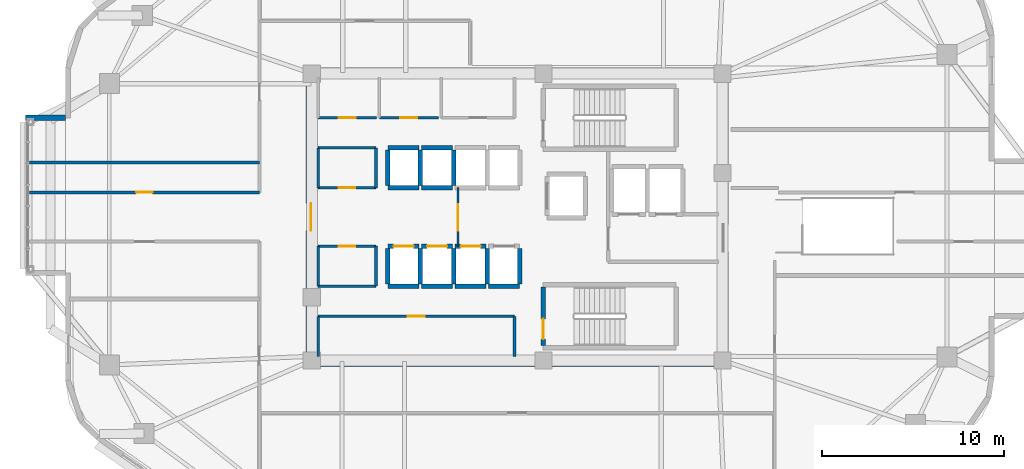
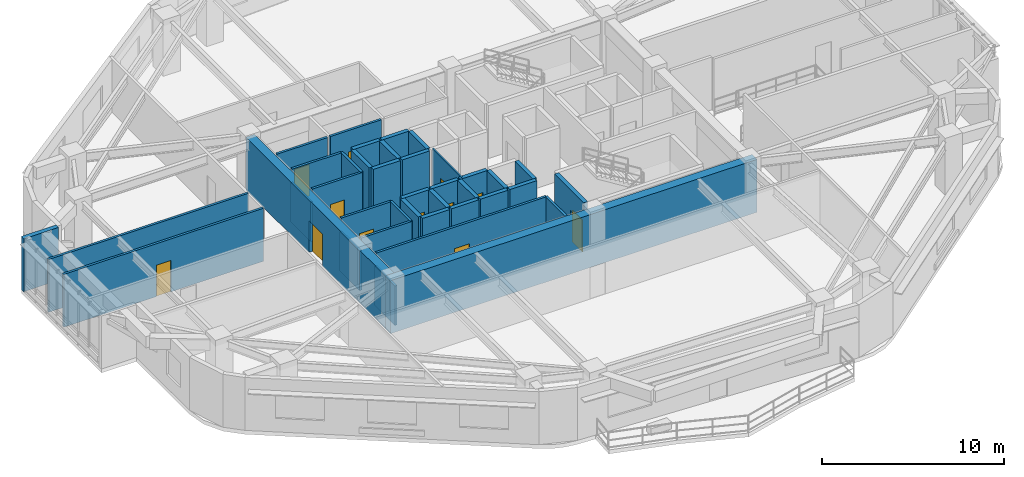
# One storey, part 8 of 14: 39 walls, 12 doors, 12 openings.
"""IFC4 building model written with IfcOpenShell, lengths in metres."""

from ifc_helpers import new_model, si_unit, direction, frame, frame_2d, origin, place, context, subcontext, project, spatial, rectangle, extrude, material, layer, layer_set, type_object, element, fill, save


model = new_model("IFC4")

# Units and contexts
model_context = context("Model", 3, precision=1e-05, world=origin(), true_north=direction((0.0, 1.0)))
body_context = subcontext(model_context, "Body", "Model", "MODEL_VIEW")
ifc_project = project(units=[si_unit("LENGTHUNIT", "METRE"), si_unit("AREAUNIT", "SQUARE_METRE"), si_unit("VOLUMEUNIT", "CUBIC_METRE"), si_unit("PLANEANGLEUNIT", "RADIAN"), si_unit("MASSUNIT", "GRAM", prefix="KILO")], contexts=[model_context])

# Site, building, storey
site_placement = place(None, origin())
site = spatial("IfcSite", under=ifc_project, at=site_placement, CompositionType="ELEMENT")
building_placement = place(site_placement, origin())
building = spatial("IfcBuilding", under=site, at=building_placement, Name="Zulverin Broadcast Headquarters", CompositionType="ELEMENT")
storey_placement = place(building_placement, frame((0.0, 0.0, 128.800048828125)))
storey = spatial("IfcBuildingStorey", under=building, at=storey_placement, Name="L32", CompositionType="ELEMENT", Elevation=128.800048828125)

# Wall
ifc_material_1 = material(Name="Concrete C60/75", Category="concrete")
ifc_layer_1 = layer(ifc_material_1, 0.550048828125, Name="Concrete C60/75", Category="concrete")
ifc_layer_set_1 = layer_set([ifc_layer_1], Name="Concrete C60/75")
wall_type_1 = type_object("IfcWallType", Name="WL-CORE-550", PredefinedType="SHEAR", material=ifc_layer_set_1)
wall_1_placement = place(storey_placement, frame((25.39990234375, 17.27490234375, 0.0), z_axis=(0.0, 0.0, 1.0), x_axis=(1.0, 0.0, 0.0)))
element("IfcWall", 1, at=wall_1_placement, inside=storey, type_object=wall_type_1, Name="L32 Core South Shear Wall", PredefinedType="SHEAR", context=body_context, shape_type="SweptSolid", body=[
    extrude(rectangle(XDim=23.2001953125, YDim=0.550048828125, at=frame_2d((11.60009765625, 0.0))), origin(), (0.0, 0.0, 1.0), 3.5400390625),
])

# Wall, opening, door
wall_2_placement = place(storey_placement, frame((25.675048828125, 17.550048828125, 0.0), z_axis=(0.0, 0.0, 1.0), x_axis=(0.0, 1.0, 0.0)))
wall_2 = element("IfcWall", 2, at=wall_2_placement, inside=storey, type_object=wall_type_1, Name="L32 Core West Shear Wall", PredefinedType="SHEAR", context=body_context, shape_type="SweptSolid", body=[
    extrude(rectangle(XDim=15.300048828125, YDim=0.550048828125, at=frame_2d((7.64990234375, 0.0))), origin(), (0.0, 0.0, 1.0), 3.5400390625),
])
opening_1_placement = place(wall_2_placement, frame((6.89990234375, 0.0, 0.0)))
opening_1 = element("IfcOpeningElement", 3, at=opening_1_placement, cuts=wall_2, Name="Opening D-L32-CW1", PredefinedType="OPENING", context=body_context, shape_type="SweptSolid", body=[
    extrude(rectangle(XDim=1.5, YDim=2.14990234375, at=frame_2d((0.75, 1.074951171875))), frame((0.0, 0.284912109375, 0.0), z_axis=(0.0, -1.0, 0.0), x_axis=(1.0, 0.0, 0.0)), (0.0, 0.0, 1.0), 0.570068359375),
])
ifc_material_2 = material(Name="Fire-rated glazed steel frame", Category="steel")
door_type_1 = type_object("IfcDoorType", Name="DR-COR-1500", OperationType="DOUBLE_DOOR_SINGLE_SWING", PredefinedType="DOOR", material=ifc_material_2)
door_1_placement = place(opening_1_placement, origin())
door_1 = element("IfcDoor", 4, at=door_1_placement, inside=storey, type_object=door_type_1, Name="L32 Central Lift Lobby West Portal Door", OperationType="DOUBLE_DOOR_SINGLE_SWING", OverallHeight=2.14990234375, OverallWidth=1.5, PredefinedType="DOOR", context=body_context, shape_type="SweptSolid", body=[
    extrude(rectangle(XDim=1.5, YDim=2.14990234375, at=frame_2d((0.75, 1.074951171875))), frame((0.0, 0.02490234375, 0.0), z_axis=(0.0, -1.0, 0.0), x_axis=(1.0, 0.0, 0.0)), (0.0, 0.0, 1.0), 0.050048828125),
])
fill(opening_1, door_1)

# Wall
ifc_material_3 = material(Name="Insulated pale-metal clad concrete spandrel C40/50", Category="concrete")
ifc_layer_2 = layer(ifc_material_3, 0.280029296875, Name="Insulated pale-metal clad concrete spandrel C40/50", Category="concrete")
ifc_layer_set_2 = layer_set([ifc_layer_2], Name="Insulated pale-metal clad concrete spandrel C40/50")
wall_type_2 = type_object("IfcWallType", Name="WL-EXT-280", PredefinedType="STANDARD", material=ifc_layer_set_2)
wall_3_placement = place(storey_placement, frame((10.0, 30.64990234375, 0.0), z_axis=(0.0, 0.0, 1.0), x_axis=(1.0, 0.0, 0.0)))
element("IfcWall", 5, at=wall_3_placement, inside=storey, type_object=wall_type_2, Name="L32 Shifted Studio Box Cheek Wall SBOX_SKY1_W-N", PredefinedType="STANDARD", context=body_context, shape_type="SweptSolid", body=[
    extrude(rectangle(XDim=2.199951171875, YDim=0.280029296875, at=frame_2d((1.10009765625, 0.0))), origin(), (0.0, 0.0, 1.0), 3.5400390625),
])

# Wall, opening, door
ifc_material_4 = material(Name="Fire-rated acoustic laminated glass screen", Category="glass")
ifc_layer_3 = layer(ifc_material_4, 0.10009765625, Name="Fire-rated acoustic laminated glass screen", Category="glass")
ifc_layer_set_3 = layer_set([ifc_layer_3], Name="Fire-rated acoustic laminated glass screen")
wall_type_3 = type_object("IfcWallType", Name="WL-GLAZ-100", PredefinedType="PARTITIONING", material=ifc_layer_set_3)
wall_4_placement = place(storey_placement, frame((33.75, 23.60009765625, 0.0), z_axis=(0.0, 0.0, 1.0), x_axis=(0.0, 1.0, 0.0)))
wall_4 = element("IfcWall", 6, at=wall_4_placement, inside=storey, type_object=wall_type_3, Name="L32 Core Lobby Acoustic Screen", PredefinedType="PARTITIONING", context=body_context, shape_type="SweptSolid", body=[
    extrude(rectangle(XDim=3.199951171875, YDim=0.10009765625, at=frame_2d((1.60009765625, 0.0))), origin(), (0.0, 0.0, 1.0), 3.5400390625),
])
opening_2_placement = place(wall_4_placement, frame((0.85009765625, 0.0, 0.0)))
opening_2 = element("IfcOpeningElement", 7, at=opening_2_placement, cuts=wall_4, Name="Opening D-L32-CL1", PredefinedType="OPENING", context=body_context, shape_type="SweptSolid", body=[
    extrude(rectangle(XDim=1.449951171875, YDim=2.1201171875, at=frame_2d((0.72509765625, 1.06005859375))), frame((0.0, 0.06005859375, 0.0), z_axis=(0.0, -1.0, 0.0), x_axis=(1.0, 0.0, 0.0)), (0.0, 0.0, 1.0), 0.1201171875),
])
ifc_material_5 = material(Name="Fire-rated acoustic glazed double leaf", Category="glass")
door_type_2 = type_object("IfcDoorType", Name="DR-GLZ-1450", OperationType="DOUBLE_DOOR_SINGLE_SWING", PredefinedType="DOOR", material=ifc_material_5)
door_2_placement = place(opening_2_placement, origin())
door_2 = element("IfcDoor", 8, at=door_2_placement, inside=storey, type_object=door_type_2, Name="L32 Core Lobby Vestibule Door", OperationType="DOUBLE_DOOR_SINGLE_SWING", OverallHeight=2.1201171875, OverallWidth=1.449951171875, PredefinedType="DOOR", context=body_context, shape_type="SweptSolid", body=[
    extrude(rectangle(XDim=1.449951171875, YDim=2.1201171875, at=frame_2d((0.72509765625, 1.06005859375))), frame((0.0, 0.02490234375, 0.0), z_axis=(0.0, -1.0, 0.0), x_axis=(1.0, 0.0, 0.0)), (0.0, 0.0, 1.0), 0.050048828125),
])
fill(opening_2, door_2)

ifc_material_6 = material(Name="Fire-rated gypsum stud partition", Category="gypsum")
ifc_layer_4 = layer(ifc_material_6, 0.14990234375, Name="Fire-rated gypsum stud partition", Category="gypsum")
ifc_layer_set_4 = layer_set([ifc_layer_4], Name="Fire-rated gypsum stud partition")
wall_type_4 = type_object("IfcWallType", Name="WL-PART-150", PredefinedType="PARTITIONING", material=ifc_layer_set_4)
wall_5_placement = place(storey_placement, frame((26.070068359375, 30.64990234375, 0.0), z_axis=(0.0, 0.0, 1.0), x_axis=(1.0, 0.0, 0.0)))
wall_5 = element("IfcWall", 9, at=wall_5_placement, inside=storey, type_object=wall_type_4, Name="L32 Core Accessible WC Front Wall", PredefinedType="PARTITIONING", context=body_context, shape_type="SweptSolid", body=[
    extrude(rectangle(XDim=3.199951171875, YDim=0.14990234375, at=frame_2d((1.60009765625, 0.0))), origin(), (0.0, 0.0, 1.0), 3.5400390625),
])
opening_3_placement = place(wall_5_placement, frame((1.125, 0.0, 0.0)))
opening_3 = element("IfcOpeningElement", 10, at=opening_3_placement, cuts=wall_5, Name="Opening D-L32-NC1", PredefinedType="OPENING", context=body_context, shape_type="SweptSolid", body=[
    extrude(rectangle(XDim=0.949951171875, YDim=2.10009765625, at=frame_2d((0.47509765625, 1.050048828125))), frame((0.0, 0.0849609375, 0.0), z_axis=(0.0, -1.0, 0.0), x_axis=(1.0, 0.0, 0.0)), (0.0, 0.0, 1.0), 0.169921875),
])
ifc_material_7 = material(Name="Fire-rated moisture-resistant laminate leaf", Category="wood")
door_type_3 = type_object("IfcDoorType", Name="DR-WC-950", OperationType="SINGLE_SWING_LEFT", PredefinedType="DOOR", material=ifc_material_7)
door_3_placement = place(opening_3_placement, origin())
door_3 = element("IfcDoor", 11, at=door_3_placement, inside=storey, type_object=door_type_3, Name="L32 Accessible WC Door", OperationType="SINGLE_SWING_LEFT", OverallHeight=2.10009765625, OverallWidth=0.949951171875, PredefinedType="DOOR", context=body_context, shape_type="SweptSolid", body=[
    extrude(rectangle(XDim=0.949951171875, YDim=2.10009765625, at=frame_2d((0.47509765625, 1.050048828125))), frame((0.0, 0.02490234375, 0.0), z_axis=(0.0, -1.0, 0.0), x_axis=(1.0, 0.0, 0.0)), (0.0, 0.0, 1.0), 0.050048828125),
])
fill(opening_3, door_3)

wall_6_placement = place(storey_placement, frame((29.429931640625, 30.64990234375, 0.0), z_axis=(0.0, 0.0, 1.0), x_axis=(1.0, 0.0, 0.0)))
wall_6 = element("IfcWall", 12, at=wall_6_placement, inside=storey, type_object=wall_type_4, Name="L32 Core Male WC Front Wall", PredefinedType="PARTITIONING", context=body_context, shape_type="SweptSolid", body=[
    extrude(rectangle(XDim=3.239990234375, YDim=0.14990234375, at=frame_2d((1.6201171875, 0.0))), origin(), (0.0, 0.0, 1.0), 3.5400390625),
])
opening_4_placement = place(wall_6_placement, frame((1.14501953125, 0.0, 0.0)))
opening_4 = element("IfcOpeningElement", 13, at=opening_4_placement, cuts=wall_6, Name="Opening D-L32-NC2", PredefinedType="OPENING", context=body_context, shape_type="SweptSolid", body=[
    extrude(rectangle(XDim=0.949951171875, YDim=2.10009765625, at=frame_2d((0.47509765625, 1.050048828125))), frame((0.0, 0.0849609375, 0.0), z_axis=(0.0, -1.0, 0.0), x_axis=(1.0, 0.0, 0.0)), (0.0, 0.0, 1.0), 0.169921875),
])
door_4_placement = place(opening_4_placement, origin())
door_4 = element("IfcDoor", 14, at=door_4_placement, inside=storey, type_object=door_type_3, Name="L32 Male WC Door", OperationType="SINGLE_SWING_RIGHT", OverallHeight=2.10009765625, OverallWidth=0.949951171875, PredefinedType="DOOR", context=body_context, shape_type="SweptSolid", body=[
    extrude(rectangle(XDim=0.949951171875, YDim=2.10009765625, at=frame_2d((0.47509765625, 1.050048828125))), frame((0.0, 0.02490234375, 0.0), z_axis=(0.0, -1.0, 0.0), x_axis=(1.0, 0.0, 0.0)), (0.0, 0.0, 1.0), 0.050048828125),
])
fill(opening_4, door_4)

wall_7_placement = place(storey_placement, frame((26.070068359375, 19.75, 0.0), z_axis=(0.0, 0.0, 1.0), x_axis=(1.0, 0.0, 0.0)))
wall_7 = element("IfcWall", 15, at=wall_7_placement, inside=storey, type_object=wall_type_4, Name="L32 Core Female WC & Facilities Room Front Wall", PredefinedType="PARTITIONING", context=body_context, shape_type="SweptSolid", body=[
    extrude(rectangle(XDim=10.780029296875, YDim=0.14990234375, at=frame_2d((5.39013671875, 0.0))), origin(), (0.0, 0.0, 1.0), 3.5400390625),
])
opening_5_placement = place(wall_7_placement, frame((4.9150390625, 0.0, 0.0)))
opening_5 = element("IfcOpeningElement", 16, at=opening_5_placement, cuts=wall_7, Name="Opening D-L32-SC1", PredefinedType="OPENING", context=body_context, shape_type="SweptSolid", body=[
    extrude(rectangle(XDim=0.949951171875, YDim=2.10009765625, at=frame_2d((0.47509765625, 1.050048828125))), frame((0.0, 0.0849609375, 0.0), z_axis=(0.0, -1.0, 0.0), x_axis=(1.0, 0.0, 0.0)), (0.0, 0.0, 1.0), 0.169921875),
])
door_5_placement = place(opening_5_placement, origin())
door_5 = element("IfcDoor", 17, at=door_5_placement, inside=storey, type_object=door_type_3, Name="L32 Female WC & Facilities Room Door", OperationType="SINGLE_SWING_RIGHT", OverallHeight=2.10009765625, OverallWidth=0.949951171875, PredefinedType="DOOR", context=body_context, shape_type="SweptSolid", body=[
    extrude(rectangle(XDim=0.949951171875, YDim=2.10009765625, at=frame_2d((0.47509765625, 1.050048828125))), frame((0.0, 0.02490234375, 0.0), z_axis=(0.0, -1.0, 0.0), x_axis=(1.0, 0.0, 0.0)), (0.0, 0.0, 1.0), 0.050048828125),
])
fill(opening_5, door_5)

# Walls
wall_8_placement = place(storey_placement, frame((26.070068359375, 17.550048828125, 0.0), z_axis=(0.0, 0.0, 1.0), x_axis=(0.0, 1.0, 0.0)))
element("IfcWall", 18, at=wall_8_placement, inside=storey, type_object=wall_type_4, Name="L32 Core Female WC & Facilities Room West Wall", PredefinedType="PARTITIONING", context=body_context, shape_type="SweptSolid", body=[
    extrude(rectangle(XDim=2.199951171875, YDim=0.14990234375, at=frame_2d((1.10009765625, 0.0))), origin(), (0.0, 0.0, 1.0), 2.639892578125),
])
wall_9_placement = place(storey_placement, frame((36.85009765625, 17.550048828125, 0.0), z_axis=(0.0, 0.0, 1.0), x_axis=(0.0, 1.0, 0.0)))
element("IfcWall", 19, at=wall_9_placement, inside=storey, type_object=wall_type_4, Name="L32 Core Female WC & Facilities Room East Wall", PredefinedType="PARTITIONING", context=body_context, shape_type="SweptSolid", body=[
    extrude(rectangle(XDim=2.199951171875, YDim=0.14990234375, at=frame_2d((1.10009765625, 0.0))), origin(), (0.0, 0.0, 1.0), 3.5400390625),
])

# Wall, opening, door
wall_10_placement = place(storey_placement, frame((26.070068359375, 26.800048828125, 0.0), z_axis=(0.0, 0.0, 1.0), x_axis=(1.0, 0.0, 0.0)))
wall_10 = element("IfcWall", 20, at=wall_10_placement, inside=storey, type_object=wall_type_4, Name="L32 Core UPS Battery Store S Wall", PredefinedType="PARTITIONING", context=body_context, shape_type="SweptSolid", body=[
    extrude(rectangle(XDim=3.179931640625, YDim=0.14990234375, at=frame_2d((1.58984375, 0.0))), origin(), (0.0, 0.0, 1.0), 3.5400390625),
])
opening_6_placement = place(wall_10_placement, frame((1.139892578125, 0.0, 0.0)))
opening_6 = element("IfcOpeningElement", 21, at=opening_6_placement, cuts=wall_10, Name="Opening D-L32-RCLN", PredefinedType="OPENING", context=body_context, shape_type="SweptSolid", body=[
    extrude(rectangle(XDim=0.89990234375, YDim=2.10009765625, at=frame_2d((0.449951171875, 1.050048828125))), frame((0.0, 0.0849609375, 0.0), z_axis=(0.0, -1.0, 0.0), x_axis=(1.0, 0.0, 0.0)), (0.0, 0.0, 1.0), 0.169921875),
])
ifc_material_8 = material(Name="Powder-coated steel access leaf", Category="steel")
door_type_4 = type_object("IfcDoorType", Name="DR-RISER-900", OperationType="SINGLE_SWING_LEFT", PredefinedType="DOOR", material=ifc_material_8)
door_6_placement = place(opening_6_placement, origin())
door_6 = element("IfcDoor", 22, at=door_6_placement, inside=storey, type_object=door_type_4, Name="L32 Core UPS Battery Store Door", OperationType="SINGLE_SWING_LEFT", OverallHeight=2.10009765625, OverallWidth=0.89990234375, PredefinedType="DOOR", context=body_context, shape_type="SweptSolid", body=[
    extrude(rectangle(XDim=0.89990234375, YDim=2.10009765625, at=frame_2d((0.449951171875, 1.050048828125))), frame((0.0, 0.02490234375, 0.0), z_axis=(0.0, -1.0, 0.0), x_axis=(1.0, 0.0, 0.0)), (0.0, 0.0, 1.0), 0.050048828125),
])
fill(opening_6, door_6)

# Walls
wall_11_placement = place(storey_placement, frame((26.070068359375, 29.0, 0.0), z_axis=(0.0, 0.0, 1.0), x_axis=(1.0, 0.0, 0.0)))
element("IfcWall", 23, at=wall_11_placement, inside=storey, type_object=wall_type_4, Name="L32 Core UPS Battery Store N Wall", PredefinedType="PARTITIONING", context=body_context, shape_type="SweptSolid", body=[
    extrude(rectangle(XDim=3.179931640625, YDim=0.14990234375, at=frame_2d((1.58984375, 0.0))), origin(), (0.0, 0.0, 1.0), 3.5400390625),
])
wall_12_placement = place(storey_placement, frame((26.070068359375, 26.800048828125, 0.0), z_axis=(0.0, 0.0, 1.0), x_axis=(0.0, 1.0, 0.0)))
element("IfcWall", 24, at=wall_12_placement, inside=storey, type_object=wall_type_4, Name="L32 Core UPS Battery Store W Wall", PredefinedType="PARTITIONING", context=body_context, shape_type="SweptSolid", body=[
    extrude(rectangle(XDim=2.199951171875, YDim=0.14990234375, at=frame_2d((1.10009765625, 0.0))), origin(), (0.0, 0.0, 1.0), 2.639892578125),
])
wall_13_placement = place(storey_placement, frame((29.25, 26.800048828125, 0.0), z_axis=(0.0, 0.0, 1.0), x_axis=(0.0, 1.0, 0.0)))
element("IfcWall", 25, at=wall_13_placement, inside=storey, type_object=wall_type_4, Name="L32 Core UPS Battery Store E Wall", PredefinedType="PARTITIONING", context=body_context, shape_type="SweptSolid", body=[
    extrude(rectangle(XDim=2.199951171875, YDim=0.14990234375, at=frame_2d((1.10009765625, 0.0))), origin(), (0.0, 0.0, 1.0), 3.5400390625),
])
wall_14_placement = place(storey_placement, frame((26.070068359375, 21.39990234375, 0.0), z_axis=(0.0, 0.0, 1.0), x_axis=(1.0, 0.0, 0.0)))
element("IfcWall", 26, at=wall_14_placement, inside=storey, type_object=wall_type_4, Name="L32 Media Ingestion Server Room S Wall", PredefinedType="PARTITIONING", context=body_context, shape_type="SweptSolid", body=[
    extrude(rectangle(XDim=3.179931640625, YDim=0.14990234375, at=frame_2d((1.58984375, 0.0))), origin(), (0.0, 0.0, 1.0), 3.5400390625),
])

# Wall, opening, door
wall_15_placement = place(storey_placement, frame((26.070068359375, 23.60009765625, 0.0), z_axis=(0.0, 0.0, 1.0), x_axis=(1.0, 0.0, 0.0)))
wall_15 = element("IfcWall", 27, at=wall_15_placement, inside=storey, type_object=wall_type_4, Name="L32 Media Ingestion Server Room N Wall", PredefinedType="PARTITIONING", context=body_context, shape_type="SweptSolid", body=[
    extrude(rectangle(XDim=3.179931640625, YDim=0.14990234375, at=frame_2d((1.58984375, 0.0))), origin(), (0.0, 0.0, 1.0), 3.5400390625),
])
opening_7_placement = place(wall_15_placement, frame((1.139892578125, 0.0, 0.0)))
opening_7 = element("IfcOpeningElement", 28, at=opening_7_placement, cuts=wall_15, Name="Opening D-L32-RCLS", PredefinedType="OPENING", context=body_context, shape_type="SweptSolid", body=[
    extrude(rectangle(XDim=0.89990234375, YDim=2.10009765625, at=frame_2d((0.449951171875, 1.050048828125))), frame((0.0, 0.0849609375, 0.0), z_axis=(0.0, -1.0, 0.0), x_axis=(1.0, 0.0, 0.0)), (0.0, 0.0, 1.0), 0.169921875),
])
door_7_placement = place(opening_7_placement, origin())
door_7 = element("IfcDoor", 29, at=door_7_placement, inside=storey, type_object=door_type_4, Name="L32 Media Ingestion Server Room Door", OperationType="SINGLE_SWING_RIGHT", OverallHeight=2.10009765625, OverallWidth=0.89990234375, PredefinedType="DOOR", context=body_context, shape_type="SweptSolid", body=[
    extrude(rectangle(XDim=0.89990234375, YDim=2.10009765625, at=frame_2d((0.449951171875, 1.050048828125))), frame((0.0, 0.02490234375, 0.0), z_axis=(0.0, -1.0, 0.0), x_axis=(1.0, 0.0, 0.0)), (0.0, 0.0, 1.0), 0.050048828125),
])
fill(opening_7, door_7)

# Walls
wall_16_placement = place(storey_placement, frame((26.070068359375, 21.39990234375, 0.0), z_axis=(0.0, 0.0, 1.0), x_axis=(0.0, 1.0, 0.0)))
element("IfcWall", 30, at=wall_16_placement, inside=storey, type_object=wall_type_4, Name="L32 Media Ingestion Server Room W Wall", PredefinedType="PARTITIONING", context=body_context, shape_type="SweptSolid", body=[
    extrude(rectangle(XDim=2.2001953125, YDim=0.14990234375, at=frame_2d((1.10009765625, 0.0))), origin(), (0.0, 0.0, 1.0), 2.639892578125),
])
wall_17_placement = place(storey_placement, frame((29.25, 21.39990234375, 0.0), z_axis=(0.0, 0.0, 1.0), x_axis=(0.0, 1.0, 0.0)))
element("IfcWall", 31, at=wall_17_placement, inside=storey, type_object=wall_type_4, Name="L32 Media Ingestion Server Room E Wall", PredefinedType="PARTITIONING", context=body_context, shape_type="SweptSolid", body=[
    extrude(rectangle(XDim=2.2001953125, YDim=0.14990234375, at=frame_2d((1.10009765625, 0.0))), origin(), (0.0, 0.0, 1.0), 3.5400390625),
])

# Wall, opening, door
wall_18_placement = place(storey_placement, frame((10.205078125, 26.550048828125, 0.0), z_axis=(0.0, 0.0, 1.0), x_axis=(1.0, 0.0, 0.0)))
wall_18 = element("IfcWall", 32, at=wall_18_placement, inside=storey, type_object=wall_type_4, Name="L32 Gallery Partition Wall CG-10", PredefinedType="PARTITIONING", context=body_context, shape_type="SweptSolid", body=[
    extrude(rectangle(XDim=12.64501953125, YDim=0.14990234375, at=frame_2d((6.322509765625, 0.0))), origin(), (0.0, 0.0, 1.0), 3.5400390625),
])
opening_8_placement = place(wall_18_placement, frame((5.87255859375, 0.0, 0.0)))
opening_8 = element("IfcOpeningElement", 33, at=opening_8_placement, cuts=wall_18, Name="Opening D-L32-05", PredefinedType="OPENING", context=body_context, shape_type="SweptSolid", body=[
    extrude(rectangle(XDim=0.89990234375, YDim=2.10009765625, at=frame_2d((0.449951171875, 1.050048828125))), frame((0.0, 0.0849609375, 0.0), z_axis=(0.0, -1.0, 0.0), x_axis=(1.0, 0.0, 0.0)), (0.0, 0.0, 1.0), 0.169921875),
])
ifc_material_9 = material(Name="Fire-rated hardwood veneer timber leaf", Category="wood")
door_type_5 = type_object("IfcDoorType", Name="DR-ROOM-900", OperationType="SINGLE_SWING_RIGHT", PredefinedType="DOOR", material=ifc_material_9)
door_8_placement = place(opening_8_placement, origin())
door_8 = element("IfcDoor", 34, at=door_8_placement, inside=storey, type_object=door_type_5, Name="L32 Editorial Meeting Room Door", OperationType="SINGLE_SWING_RIGHT", OverallHeight=2.10009765625, OverallWidth=0.89990234375, PredefinedType="DOOR", context=body_context, shape_type="SweptSolid", body=[
    extrude(rectangle(XDim=0.89990234375, YDim=2.10009765625, at=frame_2d((0.449951171875, 1.050048828125))), frame((0.0, 0.02490234375, 0.0), z_axis=(0.0, -1.0, 0.0), x_axis=(1.0, 0.0, 0.0)), (0.0, 0.0, 1.0), 0.050048828125),
])
fill(opening_8, door_8)

# Wall
wall_19_placement = place(storey_placement, frame((10.205078125, 28.199951171875, 0.0), z_axis=(0.0, 0.0, 1.0), x_axis=(1.0, 0.0, 0.0)))
element("IfcWall", 35, at=wall_19_placement, inside=storey, type_object=wall_type_4, Name="L32 Room Partition Wall RP-13", PredefinedType="PARTITIONING", context=body_context, shape_type="SweptSolid", body=[
    extrude(rectangle(XDim=12.64501953125, YDim=0.14990234375, at=frame_2d((6.322509765625, 0.0))), origin(), (0.0, 0.0, 1.0), 3.5400390625),
])

# Wall, opening, door
ifc_material_10 = material(Name="Concrete C50/60", Category="concrete")
ifc_layer_5 = layer(ifc_material_10, 0.25, Name="Concrete C50/60", Category="concrete")
ifc_layer_set_5 = layer_set([ifc_layer_5], Name="Concrete C50/60")
wall_type_5 = type_object("IfcWallType", Name="WL-SHAFT-250", PredefinedType="SHEAR", material=ifc_layer_set_5)
wall_20_placement = place(storey_placement, frame((38.425048828125, 18.14990234375, 0.0), z_axis=(0.0, 0.0, 1.0), x_axis=(0.0, 1.0, 0.0)))
wall_20 = element("IfcWall", 36, at=wall_20_placement, inside=storey, type_object=wall_type_5, Name="L32 ST-2 Enclosure Wall W", PredefinedType="SHEAR", context=body_context, shape_type="SweptSolid", body=[
    extrude(rectangle(XDim=3.2001953125, YDim=0.25, at=frame_2d((1.60009765625, 0.0))), origin(), (0.0, 0.0, 1.0), 3.5400390625),
])
opening_9_placement = place(wall_20_placement, frame((0.35009765625, 0.0, 0.0)))
opening_9 = element("IfcOpeningElement", 37, at=opening_9_placement, cuts=wall_20, Name="Opening D-L32-ST-2", PredefinedType="OPENING", context=body_context, shape_type="SweptSolid", body=[
    extrude(rectangle(XDim=1.10009765625, YDim=2.14990234375, at=frame_2d((0.550048828125, 1.074951171875))), frame((0.0, 0.135009765625, 0.0), z_axis=(0.0, -1.0, 0.0), x_axis=(1.0, 0.0, 0.0)), (0.0, 0.0, 1.0), 0.27001953125),
])
ifc_material_11 = material(Name="Fire-rated steel leaf and frame", Category="steel")
door_type_6 = type_object("IfcDoorType", Name="DR-STAIR-1100", OperationType="SINGLE_SWING_LEFT", PredefinedType="DOOR", material=ifc_material_11)
door_9_placement = place(opening_9_placement, origin())
door_9 = element("IfcDoor", 38, at=door_9_placement, inside=storey, type_object=door_type_6, Name="L32 Exit Stair ST-2 Fire Door", OperationType="SINGLE_SWING_RIGHT", OverallHeight=2.14990234375, OverallWidth=1.10009765625, PredefinedType="DOOR", context=body_context, shape_type="SweptSolid", body=[
    extrude(rectangle(XDim=1.10009765625, YDim=2.14990234375, at=frame_2d((0.550048828125, 1.074951171875))), frame((0.0, 0.02490234375, 0.0), z_axis=(0.0, -1.0, 0.0), x_axis=(1.0, 0.0, 0.0)), (0.0, 0.0, 1.0), 0.050048828125),
])
fill(opening_9, door_9)

# Wall
wall_21_placement = place(storey_placement, frame((29.89990234375, 21.39990234375, 0.0), z_axis=(0.0, 0.0, 1.0), x_axis=(1.0, 0.0, 0.0)))
element("IfcWall", 39, at=wall_21_placement, inside=storey, type_object=wall_type_5, Name="L32 Lift PL-M1 Shaft Wall S", PredefinedType="SHEAR", context=body_context, shape_type="SweptSolid", body=[
    extrude(rectangle(XDim=1.72021484375, YDim=0.25, at=frame_2d((0.860107421875, 0.0))), origin(), (0.0, 0.0, 1.0), 3.5400390625),
])

# Wall, opening, door
wall_22_placement = place(storey_placement, frame((29.89990234375, 23.60009765625, 0.0), z_axis=(0.0, 0.0, 1.0), x_axis=(1.0, 0.0, 0.0)))
wall_22 = element("IfcWall", 40, at=wall_22_placement, inside=storey, type_object=wall_type_5, Name="L32 Lift PL-M1 Shaft Wall N", PredefinedType="SHEAR", context=body_context, shape_type="SweptSolid", body=[
    extrude(rectangle(XDim=1.72021484375, YDim=0.25, at=frame_2d((0.860107421875, 0.0))), origin(), (0.0, 0.0, 1.0), 3.5400390625),
])
opening_10_placement = place(wall_22_placement, frame((0.31005859375, 0.0, 0.0)))
opening_10 = element("IfcOpeningElement", 41, at=opening_10_placement, cuts=wall_22, Name="Opening LD-PL-M1-L32", PredefinedType="OPENING", context=body_context, shape_type="SweptSolid", body=[
    extrude(rectangle(XDim=1.10009765625, YDim=2.14990234375, at=frame_2d((0.550048828125, 1.074951171875))), frame((0.0, 0.135009765625, 0.0), z_axis=(0.0, -1.0, 0.0), x_axis=(1.0, 0.0, 0.0)), (0.0, 0.0, 1.0), 0.27001953125),
])
ifc_material_12 = material(Name="Brushed stainless steel landing", Category="steel")
door_type_7 = type_object("IfcDoorType", Name="LD-PASS-1100", OperationType="DOUBLE_DOOR_SLIDING", PredefinedType="DOOR", material=ifc_material_12)
door_10_placement = place(opening_10_placement, origin())
door_10 = element("IfcDoor", 42, at=door_10_placement, inside=storey, type_object=door_type_7, Name="L32 Lift PL-M1 Sliding Landing Door", OperationType="DOUBLE_DOOR_SLIDING", OverallHeight=2.14990234375, OverallWidth=1.10009765625, PredefinedType="DOOR", context=body_context, shape_type="SweptSolid", body=[
    extrude(rectangle(XDim=1.10009765625, YDim=2.14990234375, at=frame_2d((0.550048828125, 1.074951171875))), frame((0.0, 0.02490234375, 0.0), z_axis=(0.0, -1.0, 0.0), x_axis=(1.0, 0.0, 0.0)), (0.0, 0.0, 1.0), 0.050048828125),
])
fill(opening_10, door_10)

# Walls
for number, where, z_axis, x_axis, name in (
    (43, (29.89990234375, 21.52001953125, 0.0), (0.0, 0.0, 1.0), (0.0, 1.0, 0.0), "L32 Lift PL-M1 Shaft Wall W"),
    (44, (31.679931640625, 21.52001953125, 0.0), (0.0, 0.0, 1.0), (0.0, 1.0, 0.0), "L32 Lift PL-M1 Shaft Wall E"),
):
    element("IfcWall", number, at=place(storey_placement, frame(where, z_axis=z_axis, x_axis=x_axis)), inside=storey, type_object=wall_type_5, Name=name, PredefinedType="SHEAR", context=body_context, shape_type="SweptSolid", body=[
        extrude(rectangle(XDim=1.9599609375, YDim=0.25, at=frame_2d((0.97998046875, 0.0))), origin(), (0.0, 0.0, 1.0), 3.5400390625),
    ])
wall_23_placement = place(storey_placement, frame((31.739990234375, 21.39990234375, 0.0), z_axis=(0.0, 0.0, 1.0), x_axis=(1.0, 0.0, 0.0)))
element("IfcWall", 45, at=wall_23_placement, inside=storey, type_object=wall_type_5, Name="L32 Lift PL-M2 Shaft Wall S", PredefinedType="SHEAR", context=body_context, shape_type="SweptSolid", body=[
    extrude(rectangle(XDim=1.719970703125, YDim=0.25, at=frame_2d((0.85986328125, 0.0))), origin(), (0.0, 0.0, 1.0), 3.5400390625),
])

# Wall, opening, door
wall_24_placement = place(storey_placement, frame((31.739990234375, 23.60009765625, 0.0), z_axis=(0.0, 0.0, 1.0), x_axis=(1.0, 0.0, 0.0)))
wall_24 = element("IfcWall", 46, at=wall_24_placement, inside=storey, type_object=wall_type_5, Name="L32 Lift PL-M2 Shaft Wall N", PredefinedType="SHEAR", context=body_context, shape_type="SweptSolid", body=[
    extrude(rectangle(XDim=1.719970703125, YDim=0.25, at=frame_2d((0.85986328125, 0.0))), origin(), (0.0, 0.0, 1.0), 3.5400390625),
])
opening_11_placement = place(wall_24_placement, frame((0.31005859375, 0.0, 0.0)))
opening_11 = element("IfcOpeningElement", 47, at=opening_11_placement, cuts=wall_24, Name="Opening LD-PL-M2-L32", PredefinedType="OPENING", context=body_context, shape_type="SweptSolid", body=[
    extrude(rectangle(XDim=1.10009765625, YDim=2.14990234375, at=frame_2d((0.550048828125, 1.074951171875))), frame((0.0, 0.135009765625, 0.0), z_axis=(0.0, -1.0, 0.0), x_axis=(1.0, 0.0, 0.0)), (0.0, 0.0, 1.0), 0.27001953125),
])
door_11_placement = place(opening_11_placement, origin())
door_11 = element("IfcDoor", 48, at=door_11_placement, inside=storey, type_object=door_type_7, Name="L32 Lift PL-M2 Sliding Landing Door", OperationType="DOUBLE_DOOR_SLIDING", OverallHeight=2.14990234375, OverallWidth=1.10009765625, PredefinedType="DOOR", context=body_context, shape_type="SweptSolid", body=[
    extrude(rectangle(XDim=1.10009765625, YDim=2.14990234375, at=frame_2d((0.550048828125, 1.074951171875))), frame((0.0, 0.02490234375, 0.0), z_axis=(0.0, -1.0, 0.0), x_axis=(1.0, 0.0, 0.0)), (0.0, 0.0, 1.0), 0.050048828125),
])
fill(opening_11, door_11)

# Walls
wall_25_placement = place(storey_placement, frame((33.52001953125, 21.52001953125, 0.0), z_axis=(0.0, 0.0, 1.0), x_axis=(0.0, 1.0, 0.0)))
element("IfcWall", 49, at=wall_25_placement, inside=storey, type_object=wall_type_5, Name="L32 Lift PL-M2 Shaft Wall E", PredefinedType="SHEAR", context=body_context, shape_type="SweptSolid", body=[
    extrude(rectangle(XDim=1.9599609375, YDim=0.25, at=frame_2d((0.97998046875, 0.0))), origin(), (0.0, 0.0, 1.0), 3.5400390625),
])
wall_26_placement = place(storey_placement, frame((33.580078125, 21.39990234375, 0.0), z_axis=(0.0, 0.0, 1.0), x_axis=(1.0, 0.0, 0.0)))
element("IfcWall", 50, at=wall_26_placement, inside=storey, type_object=wall_type_5, Name="L32 Lift PL-M3 Shaft Wall S", PredefinedType="SHEAR", context=body_context, shape_type="SweptSolid", body=[
    extrude(rectangle(XDim=1.719970703125, YDim=0.25, at=frame_2d((0.85986328125, 0.0))), origin(), (0.0, 0.0, 1.0), 3.5400390625),
])

# Wall, opening, door
wall_27_placement = place(storey_placement, frame((33.580078125, 23.60009765625, 0.0), z_axis=(0.0, 0.0, 1.0), x_axis=(1.0, 0.0, 0.0)))
wall_27 = element("IfcWall", 51, at=wall_27_placement, inside=storey, type_object=wall_type_5, Name="L32 Lift PL-M3 Shaft Wall N", PredefinedType="SHEAR", context=body_context, shape_type="SweptSolid", body=[
    extrude(rectangle(XDim=1.719970703125, YDim=0.25, at=frame_2d((0.85986328125, 0.0))), origin(), (0.0, 0.0, 1.0), 3.5400390625),
])
opening_12_placement = place(wall_27_placement, frame((0.31005859375, 0.0, 0.0)))
opening_12 = element("IfcOpeningElement", 52, at=opening_12_placement, cuts=wall_27, Name="Opening LD-PL-M3-L32", PredefinedType="OPENING", context=body_context, shape_type="SweptSolid", body=[
    extrude(rectangle(XDim=1.10009765625, YDim=2.14990234375, at=frame_2d((0.550048828125, 1.074951171875))), frame((0.0, 0.135009765625, 0.0), z_axis=(0.0, -1.0, 0.0), x_axis=(1.0, 0.0, 0.0)), (0.0, 0.0, 1.0), 0.27001953125),
])
door_12_placement = place(opening_12_placement, origin())
door_12 = element("IfcDoor", 53, at=door_12_placement, inside=storey, type_object=door_type_7, Name="L32 Lift PL-M3 Sliding Landing Door", OperationType="DOUBLE_DOOR_SLIDING", OverallHeight=2.14990234375, OverallWidth=1.10009765625, PredefinedType="DOOR", context=body_context, shape_type="SweptSolid", body=[
    extrude(rectangle(XDim=1.10009765625, YDim=2.14990234375, at=frame_2d((0.550048828125, 1.074951171875))), frame((0.0, 0.02490234375, 0.0), z_axis=(0.0, -1.0, 0.0), x_axis=(1.0, 0.0, 0.0)), (0.0, 0.0, 1.0), 0.050048828125),
])
fill(opening_12, door_12)

# Walls
wall_28_placement = place(storey_placement, frame((35.360107421875, 21.52001953125, 0.0), z_axis=(0.0, 0.0, 1.0), x_axis=(0.0, 1.0, 0.0)))
element("IfcWall", 54, at=wall_28_placement, inside=storey, type_object=wall_type_5, Name="L32 Lift PL-M3 Shaft Wall E", PredefinedType="SHEAR", context=body_context, shape_type="SweptSolid", body=[
    extrude(rectangle(XDim=1.9599609375, YDim=0.25, at=frame_2d((0.97998046875, 0.0))), origin(), (0.0, 0.0, 1.0), 3.5400390625),
])
wall_29_placement = place(storey_placement, frame((35.419921875, 21.39990234375, 0.0), z_axis=(0.0, 0.0, 1.0), x_axis=(1.0, 0.0, 0.0)))
element("IfcWall", 55, at=wall_29_placement, inside=storey, type_object=wall_type_5, Name="L32 Lift PL-M4 Shaft Wall S", PredefinedType="SHEAR", context=body_context, shape_type="SweptSolid", body=[
    extrude(rectangle(XDim=1.719970703125, YDim=0.25, at=frame_2d((0.85986328125, 0.0))), origin(), (0.0, 0.0, 1.0), 3.5400390625),
])
wall_30_placement = place(storey_placement, frame((37.139892578125, 21.52001953125, 0.0), z_axis=(0.0, 0.0, 1.0), x_axis=(0.0, 1.0, 0.0)))
element("IfcWall", 56, at=wall_30_placement, inside=storey, type_object=wall_type_5, Name="L32 Lift PL-M4 Shaft Wall E", PredefinedType="SHEAR", context=body_context, shape_type="SweptSolid", body=[
    extrude(rectangle(XDim=1.9599609375, YDim=0.25, at=frame_2d((0.97998046875, 0.0))), origin(), (0.0, 0.0, 1.0), 3.5400390625),
])
for number, where, z_axis, x_axis, name in (
    (57, (29.89990234375, 26.800048828125, 0.0), (0.0, 0.0, 1.0), (1.0, 0.0, 0.0), "L32 Lift PL-H1 Shaft Wall S"),
    (58, (29.89990234375, 29.0, 0.0), (0.0, 0.0, 1.0), (1.0, 0.0, 0.0), "L32 Lift PL-H1 Shaft Wall N"),
):
    element("IfcWall", number, at=place(storey_placement, frame(where, z_axis=z_axis, x_axis=x_axis)), inside=storey, type_object=wall_type_5, Name=name, PredefinedType="SHEAR", context=body_context, shape_type="SweptSolid", body=[
        extrude(rectangle(XDim=1.72021484375, YDim=0.25, at=frame_2d((0.860107421875, 0.0))), origin(), (0.0, 0.0, 1.0), 3.5400390625),
    ])
for number, where, z_axis, x_axis, name in (
    (59, (29.89990234375, 26.919921875, 0.0), (0.0, 0.0, 1.0), (0.0, 1.0, 0.0), "L32 Lift PL-H1 Shaft Wall W"),
    (60, (31.679931640625, 26.919921875, 0.0), (0.0, 0.0, 1.0), (0.0, 1.0, 0.0), "L32 Lift PL-H1 Shaft Wall E"),
):
    element("IfcWall", number, at=place(storey_placement, frame(where, z_axis=z_axis, x_axis=x_axis)), inside=storey, type_object=wall_type_5, Name=name, PredefinedType="SHEAR", context=body_context, shape_type="SweptSolid", body=[
        extrude(rectangle(XDim=1.9599609375, YDim=0.25, at=frame_2d((0.97998046875, 0.0))), origin(), (0.0, 0.0, 1.0), 3.5400390625),
    ])
for number, where, z_axis, x_axis, name in (
    (61, (31.739990234375, 26.800048828125, 0.0), (0.0, 0.0, 1.0), (1.0, 0.0, 0.0), "L32 Lift PL-H2 Shaft Wall S"),
    (62, (31.739990234375, 29.0, 0.0), (0.0, 0.0, 1.0), (1.0, 0.0, 0.0), "L32 Lift PL-H2 Shaft Wall N"),
):
    element("IfcWall", number, at=place(storey_placement, frame(where, z_axis=z_axis, x_axis=x_axis)), inside=storey, type_object=wall_type_5, Name=name, PredefinedType="SHEAR", context=body_context, shape_type="SweptSolid", body=[
        extrude(rectangle(XDim=1.719970703125, YDim=0.25, at=frame_2d((0.85986328125, 0.0))), origin(), (0.0, 0.0, 1.0), 3.5400390625),
    ])
wall_31_placement = place(storey_placement, frame((33.52001953125, 26.919921875, 0.0), z_axis=(0.0, 0.0, 1.0), x_axis=(0.0, 1.0, 0.0)))
element("IfcWall", 63, at=wall_31_placement, inside=storey, type_object=wall_type_5, Name="L32 Lift PL-H2 Shaft Wall E", PredefinedType="SHEAR", context=body_context, shape_type="SweptSolid", body=[
    extrude(rectangle(XDim=1.9599609375, YDim=0.25, at=frame_2d((0.97998046875, 0.0))), origin(), (0.0, 0.0, 1.0), 3.5400390625),
])

save(model, "model.ifc")
